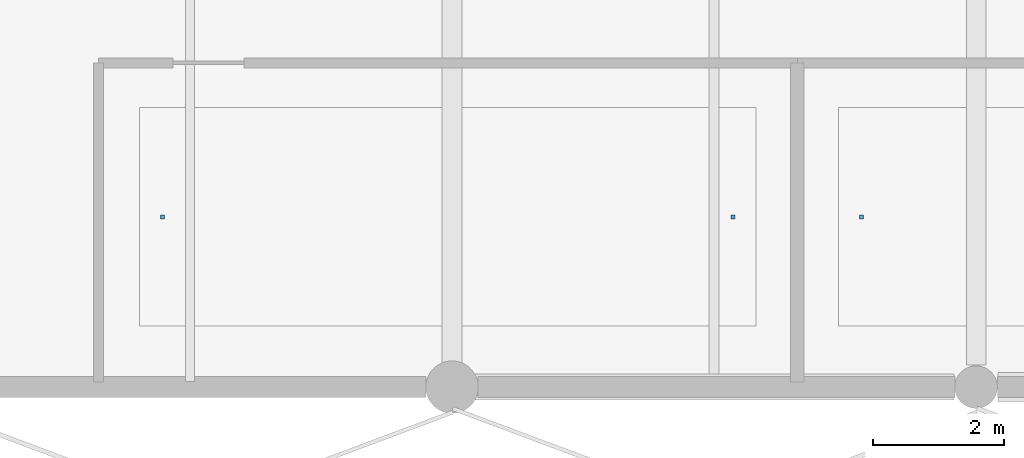
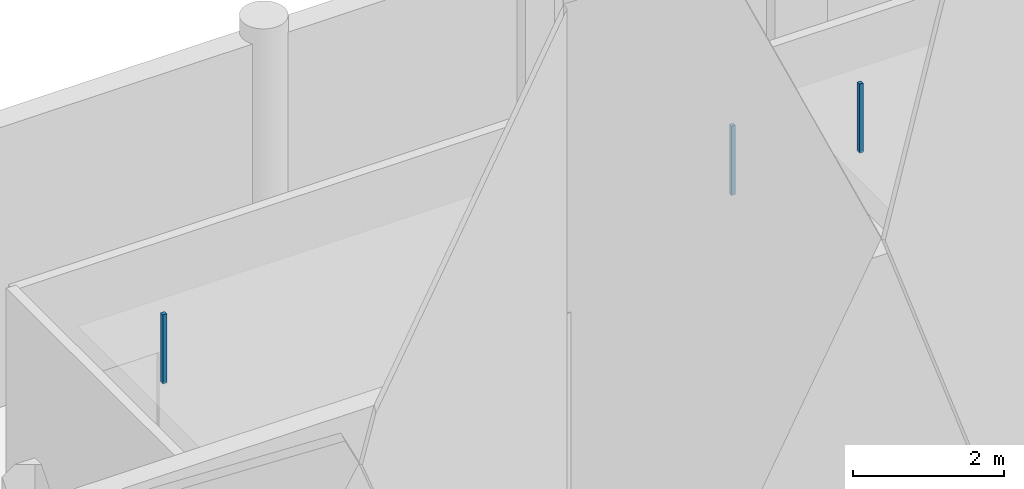
# One storey, part 78 of 107: 3 discrete accessories.
"""IFC4 building model written with IfcOpenShell, lengths in metres."""

import ifcopenshell
import ifcopenshell.guid

model = None  # the IFC model being written
_history = None  # IfcOwnerHistory: only IFC2X3 demands one
_inside = {}  # id of a spatial element -> (the spatial element, [elements in it])
_under = {}  # id of a project, library or spatial element -> (it, [spatial elements below it])
_declared = {}  # id of a project -> (the project, [libraries it declares])
_typed = {}  # id of a type object -> (the type object, [elements of that type])
_made_of = {}  # id of a material, layer set ... -> (it, [elements and type objects made of it])


def new_model(schema):
    """Start an empty IFC model of exactly this schema.

    Asked for "IFC4X3", IfcOpenShell would pick the latest addendum, in which some entities
    have other attributes; the version numbers below select the first issue.
    IFC2X3 requires an IfcOwnerHistory on every rooted entity: one is made here for all.
    """
    global model, _history
    if schema == "IFC4X3":
        model = ifcopenshell.file(schema_version=(4, 3, 0, 0))
    else:
        model = ifcopenshell.file(schema=schema)
    _inside.clear()
    _under.clear()
    _declared.clear()
    _typed.clear()
    _made_of.clear()
    _history = None
    if model.schema == "IFC2X3":
        org = make("IfcOrganization", Name="unknown")
        user = make(
            "IfcPersonAndOrganization",
            ThePerson=make("IfcPerson", FamilyName="unknown"),
            TheOrganization=org,
        )
        app = make(
            "IfcApplication",
            ApplicationDeveloper=org,
            Version="unknown",
            ApplicationFullName="unknown",
            ApplicationIdentifier="unknown",
        )
        _history = make(
            "IfcOwnerHistory",
            OwningUser=user,
            OwningApplication=app,
            ChangeAction="ADDED",
            CreationDate=0,
        )
    return model


def make(cls, **values):
    """One entity of the class cls with the attributes given. An attribute that is None is left unset."""
    return model.create_entity(
        cls, **{name: value for name, value in values.items() if value is not None}
    )


def rooted(cls, **values):
    """An entity with a GlobalId (a new one), such as an element, a storey or a relation."""
    return make(cls, GlobalId=ifcopenshell.guid.new(), OwnerHistory=_history, **values)


def si_unit(unit_type, name, prefix=None):
    """IfcSIUnit, for example si_unit("LENGTHUNIT", "METRE", prefix="MILLI")."""
    return make("IfcSIUnit", UnitType=unit_type, Prefix=prefix, Name=name)


def assignment(units):
    """IfcUnitAssignment: the units of a project."""
    return None if units is None else make("IfcUnitAssignment", Units=units)


def point(xyz):
    """IfcCartesianPoint."""
    return None if xyz is None else make("IfcCartesianPoint", Coordinates=xyz)


def direction(xyz):
    """IfcDirection."""
    return None if xyz is None else make("IfcDirection", DirectionRatios=xyz)


def frame(location, z_axis=None, x_axis=None):
    """IfcAxis2Placement3D, a coordinate frame: its origin and axes. An axis left out is left unset."""
    return make(
        "IfcAxis2Placement3D",
        Location=point(location),
        Axis=direction(z_axis),
        RefDirection=direction(x_axis),
    )


def frame_2d(location, x_axis=None):
    """IfcAxis2Placement2D, a coordinate frame in the plane: its origin and x axis."""
    return make(
        "IfcAxis2Placement2D", Location=point(location), RefDirection=direction(x_axis)
    )


def origin():
    """The frame at (0, 0, 0) with its axes left unset."""
    return frame((0.0, 0.0, 0.0))


def origin_2d():
    """The frame at (0, 0) in the plane with its x axis left unset."""
    return frame_2d((0.0, 0.0))


def place(relative_to, where):
    """IfcLocalPlacement: puts the frame where relative to a parent placement (None: the world)."""
    return make(
        "IfcLocalPlacement", PlacementRelTo=relative_to, RelativePlacement=where
    )


def context(
    kind, dimensions, precision=None, world=None, true_north=None, identifier=None
):
    """IfcGeometricRepresentationContext, for example the 3D "Model" context."""
    return make(
        "IfcGeometricRepresentationContext",
        ContextIdentifier=identifier,
        ContextType=kind,
        CoordinateSpaceDimension=dimensions,
        Precision=precision,
        WorldCoordinateSystem=world,
        TrueNorth=true_north,
    )


def subcontext(parent, identifier, kind, view, scale=None):
    """IfcGeometricRepresentationSubContext, for example "Body" below "Model"."""
    return make(
        "IfcGeometricRepresentationSubContext",
        ContextIdentifier=identifier,
        ContextType=kind,
        ParentContext=parent,
        TargetScale=scale,
        TargetView=view,
    )


def project(units=None, contexts=None):
    """IfcProject with its units and contexts."""
    return rooted(
        "IfcProject",
        Name="project",
        RepresentationContexts=contexts,
        UnitsInContext=assignment(units),
    )


def spatial(cls, under=None, at=None, **own):
    """A site, building, storey or space (cls), placed at a placement, below another one or the project."""
    s = rooted(cls, ObjectPlacement=at, **own)
    if under is not None:
        _under.setdefault(under.id(), (under, []))[1].append(s)
    return s


def profile(cls, at=None, kind="AREA", **sizes):
    """A parametric profile (cls). Its sizes go by their IFC names, for example OverallWidth=200.0."""
    return make(cls, ProfileType=kind, Position=at, **sizes)


def rectangle(**sizes):
    """IfcRectangleProfileDef."""
    return profile("IfcRectangleProfileDef", **sizes)


def extrude(swept, where, along, depth):
    """IfcExtrudedAreaSolid: the profile swept, set in the frame where, extruded along a direction by depth."""
    return make(
        "IfcExtrudedAreaSolid",
        SweptArea=swept,
        Position=where,
        ExtrudedDirection=direction(along),
        Depth=depth,
    )


def shape(context_of_items, identifier, shape_type, items):
    """IfcShapeRepresentation: the items that make up one representation, for example the "Body"."""
    return make(
        "IfcShapeRepresentation",
        ContextOfItems=context_of_items,
        RepresentationIdentifier=identifier,
        RepresentationType=shape_type,
        Items=items,
    )


def material(Name=None, Category=None):
    """IfcMaterial."""
    return make("IfcMaterial", Name=Name, Category=Category)


def made_of(thing, what):
    """Note that an element or type object is made of a material, layer set ...; save() writes the relation."""
    if what is not None:
        _made_of.setdefault(what.id(), (what, []))[1].append(thing)
    return thing


def type_object(cls, material=None, **own):
    """A type object (cls), such as IfcWallType, which elements share."""
    return made_of(rooted(cls, **own), material)


def element(
    cls,
    number,
    at=None,
    inside=None,
    cuts=None,
    type_object=None,
    material=None,
    context=None,
    identifier="Body",
    shape_type=None,
    held_by="IfcProductDefinitionShape",
    body=None,
    shapes=None,
    **own,
):
    """One element of the class cls, such as IfcWall. Its Tag is "e" and its number.

    at: its placement. inside: the storey or other place that contains it. cuts: it is an
    opening in that element (IfcRelVoidsElement). A single representation is given by context,
    identifier, shape_type and body (its items); several are given by shapes. held_by: the class
    of the entity that holds the representations. save() writes the other relations.
    """
    e = rooted(cls, Tag="e%d" % number, ObjectPlacement=at, **own)
    if body is not None:
        shapes = [shape(context, identifier, shape_type, body)]
    if shapes is not None:
        e.Representation = make(held_by, Representations=shapes)
    if inside is not None:
        _inside.setdefault(inside.id(), (inside, []))[1].append(e)
    if cuts is not None:
        rooted(
            "IfcRelVoidsElement", RelatingBuildingElement=cuts, RelatedOpeningElement=e
        )
    if type_object is not None:
        _typed.setdefault(type_object.id(), (type_object, []))[1].append(e)
    return made_of(e, material)


def aggregate(whole, parts):
    """IfcRelAggregates: a whole, such as a stair, and the parts it consists of."""
    return rooted("IfcRelAggregates", RelatingObject=whole, RelatedObjects=parts)


def save(model, path):
    """Write the relations noted so far, then the file.

    IfcRelAggregates (storeys below a building ...), IfcRelContainedInSpatialStructure (elements
    in a storey), IfcRelDefinesByType, IfcRelAssociatesMaterial and IfcRelDeclares: one each for
    every whole, place, type object, material and project.
    """
    for whole, parts in _under.values():
        aggregate(whole, parts)
    for where, things in _inside.values():
        rooted(
            "IfcRelContainedInSpatialStructure",
            RelatedElements=things,
            RelatingStructure=where,
        )
    for kind, things in _typed.values():
        rooted("IfcRelDefinesByType", RelatedObjects=things, RelatingType=kind)
    for what, things in _made_of.values():
        rooted("IfcRelAssociatesMaterial", RelatedObjects=things, RelatingMaterial=what)
    for by, libraries in _declared.values():
        rooted("IfcRelDeclares", RelatingContext=by, RelatedDefinitions=libraries)
    model.write(path)


model = new_model("IFC4")

# Units and contexts
model_context = context("Model", 3, precision=1e-05, world=origin(), true_north=direction((0.0, 1.0)))
body_context = subcontext(model_context, "Body", "Model", "MODEL_VIEW")
ifc_project = project(units=[si_unit("LENGTHUNIT", "METRE"), si_unit("AREAUNIT", "SQUARE_METRE"), si_unit("VOLUMEUNIT", "CUBIC_METRE"), si_unit("PLANEANGLEUNIT", "RADIAN"), si_unit("MASSUNIT", "GRAM", prefix="KILO")], contexts=[model_context])

# Site, building, storey
site_placement = place(None, origin())
site = spatial("IfcSite", under=ifc_project, at=site_placement, CompositionType="ELEMENT")
building_placement = place(site_placement, origin())
building = spatial("IfcBuilding", under=site, at=building_placement, Name="Khelvaren Railside Concert Hall", CompositionType="ELEMENT")
storey_placement = place(building_placement, frame((0.0, 0.0, 15.0)))
storey = spatial("IfcBuildingStorey", under=building, at=storey_placement, Name="L03", CompositionType="ELEMENT", Elevation=15.0)

# Discrete accessories
ifc_material = material(Name="Galvanised steel acoustic ceiling hanger rod", Category="steel")
discrete_accessory_type = type_object("IfcDiscreteAccessoryType", Name="BRK62", PredefinedType="BRACKET", material=ifc_material)
for number, where, z_axis, x_axis, name in (
    (1, (11.580078125, 2.60009765625, 3.429931640625), (0.0, 0.0, 1.0), (1.0, 0.0, 0.0), "Acoustic Ceiling Suspension Bracket 29-1"),
    (2, (20.2900390625, 2.60009765625, 3.429931640625), (0.0, 0.0, 1.0), (1.0, 0.0, 0.0), "Acoustic Ceiling Suspension Bracket 29-2"),
    (3, (22.25, 2.60009765625, 3.429931640625), (0.0, 0.0, 1.0), (1.0, 0.0, 0.0), "Acoustic Ceiling Suspension Bracket 30-1"),
):
    element("IfcDiscreteAccessory", number, at=place(storey_placement, frame(where, z_axis=z_axis, x_axis=x_axis)), inside=storey, type_object=discrete_accessory_type, Name=name, PredefinedType="BRACKET", context=body_context, shape_type="SweptSolid", body=[
        extrude(rectangle(XDim=0.06005859375, YDim=0.06005859375, at=origin_2d()), origin(), (0.0, 0.0, 1.0), 1.1201171875),
    ])

save(model, "model.ifc")
